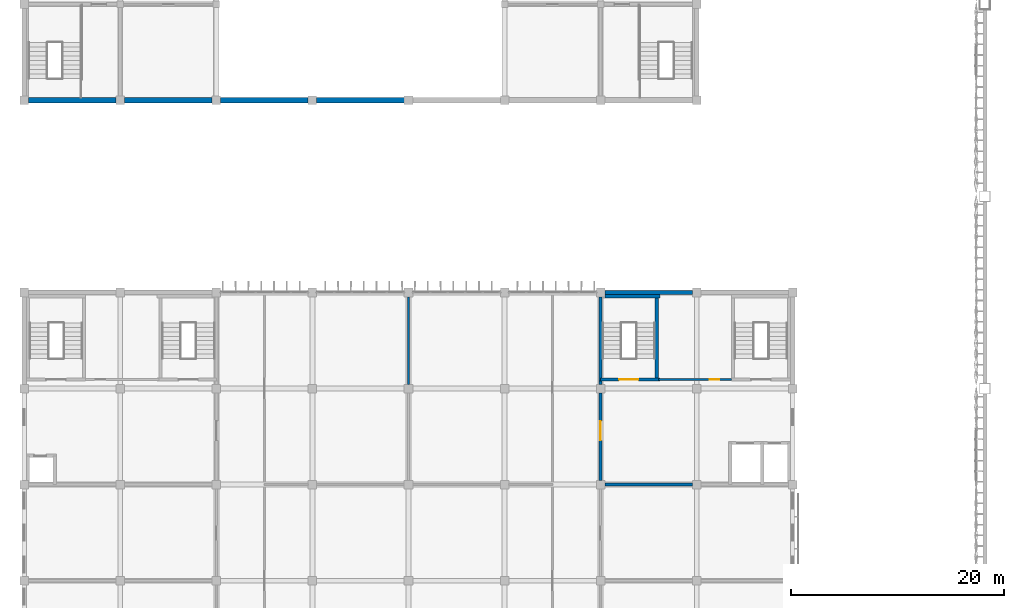
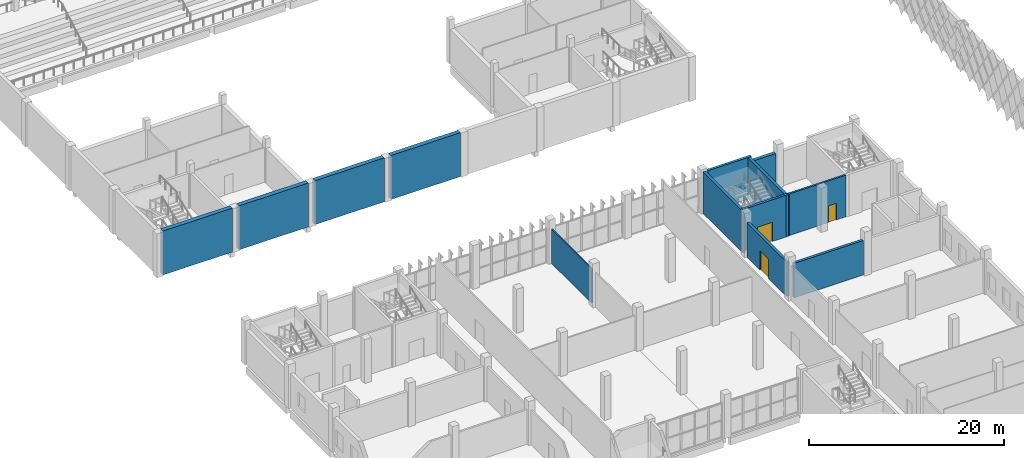
# One storey, part 110 of 185: 14 walls, 3 doors, 3 openings.
"""IFC4 building model written with IfcOpenShell, lengths in metres."""

from ifc_helpers import new_model, si_unit, direction, frame, frame_2d, origin, place, context, subcontext, project, spatial, rectangle, extrude, material, layer, layer_set, type_object, element, fill, save


model = new_model("IFC4")

# Units and contexts
model_context = context("Model", 3, precision=1e-05, world=origin(), true_north=direction((0.0, 1.0)))
body_context = subcontext(model_context, "Body", "Model", "MODEL_VIEW")
ifc_project = project(units=[si_unit("LENGTHUNIT", "METRE"), si_unit("AREAUNIT", "SQUARE_METRE"), si_unit("VOLUMEUNIT", "CUBIC_METRE"), si_unit("PLANEANGLEUNIT", "RADIAN"), si_unit("MASSUNIT", "GRAM", prefix="KILO")], contexts=[model_context])

# Site, building, storey
site_placement = place(None, origin())
site = spatial("IfcSite", under=ifc_project, at=site_placement, CompositionType="ELEMENT")
building_placement = place(site_placement, origin())
building = spatial("IfcBuilding", under=site, at=building_placement, Name="Opaline Strait Convention Centre", CompositionType="ELEMENT")
storey_placement = place(building_placement, frame((0.0, 0.0, 6.0)))
storey = spatial("IfcBuildingStorey", under=building, at=storey_placement, Name="L01", CompositionType="ELEMENT", Elevation=6.0)

# Wall, opening, door
ifc_material_1 = material(Name="Gypsum board on metal studs with mineral wool")
ifc_layer_1 = layer(ifc_material_1, 0.199951171875)
ifc_layer_set_1 = layer_set([ifc_layer_1], Name="Gypsum board on metal studs with mineral wool")
wall_type_1 = type_object("IfcWallType", Name="Fire partition 200", PredefinedType="PARTITIONING", material=ifc_layer_set_1)
wall_1_placement = place(storey_placement, frame((75.25, 90.85009765625, 0.0), z_axis=(0.0, 0.0, 1.0), x_axis=(-1.0, 0.0, 0.0)))
wall_1 = element("IfcWall", 1, at=wall_1_placement, inside=storey, type_object=wall_type_1, Name="NE core STORE-N wall", PredefinedType="PARTITIONING", context=body_context, shape_type="SweptSolid", body=[
    extrude(rectangle(XDim=6.85009765625, YDim=0.199951171875, at=frame_2d((3.425048828125, 0.0))), origin(), (0.0, 0.0, 1.0), 5.219970703125),
])
opening_1_placement = place(wall_1_placement, frame((1.14990234375, 0.0, 0.0)))
opening_1 = element("IfcOpeningElement", 2, at=opening_1_placement, cuts=wall_1, Name="Opening R1-019", PredefinedType="OPENING", context=body_context, shape_type="SweptSolid", body=[
    extrude(rectangle(XDim=0.89990234375, YDim=2.10009765625, at=frame_2d((0.449951171875, 1.050048828125))), frame((0.0, 0.10986328125, 0.0), z_axis=(0.0, -1.0, 0.0), x_axis=(1.0, 0.0, 0.0)), (0.0, 0.0, 1.0), 0.219970703125),
])
ifc_material_2 = material(Name="Galvanised steel door leaf", Category="steel")
door_type_1 = type_object("IfcDoorType", Name="Services store door 900x2100 FD60", OperationType="SINGLE_SWING_LEFT", PredefinedType="DOOR", material=ifc_material_2)
door_1_placement = place(opening_1_placement, origin())
door_1 = element("IfcDoor", 3, at=door_1_placement, inside=storey, type_object=door_type_1, Name="Services store door NE R1-019", ObjectType="RD8", OperationType="SINGLE_SWING_LEFT", OverallHeight=2.10009765625, OverallWidth=0.89990234375, PredefinedType="DOOR", context=body_context, shape_type="SweptSolid", body=[
    extrude(rectangle(XDim=0.89990234375, YDim=2.10009765625, at=frame_2d((0.449951171875, 1.050048828125))), frame((0.0, 0.02490234375, 0.0), z_axis=(0.0, -1.0, 0.0), x_axis=(1.0, 0.0, 0.0)), (0.0, 0.0, 1.0), 0.050048828125),
])
fill(opening_1, door_1)

# Walls
ifc_layer_2 = layer(ifc_material_1, 0.14990234375)
ifc_layer_set_2 = layer_set([ifc_layer_2], Name="Gypsum board on metal studs with mineral wool")
wall_type_2 = type_object("IfcWallType", Name="Partition 150", PredefinedType="PARTITIONING", material=ifc_layer_set_2)
wall_2_placement = place(storey_placement, frame((45.0, 90.39990234375, 0.0), z_axis=(0.0, 0.0, 1.0), x_axis=(0.0, 1.0, 0.0)))
element("IfcWall", 4, at=wall_2_placement, inside=storey, type_object=wall_type_2, Name="L01 partition", PredefinedType="PARTITIONING", context=body_context, shape_type="SweptSolid", body=[
    extrude(rectangle(XDim=8.2001953125, YDim=0.14990234375, at=frame_2d((4.10009765625, 0.0))), origin(), (0.0, 0.0, 1.0), 4.320068359375),
])
ifc_material_3 = material(Name="Concrete C40", Category="concrete")
ifc_layer_3 = layer(ifc_material_3, 0.419921875)
ifc_material_4 = material(Name="Mineral wool insulation")
ifc_layer_4 = layer(ifc_material_4, 0.050048828125)
ifc_material_5 = material(Name="Gypsum board lining")
ifc_layer_5 = layer(ifc_material_5, 0.030029296875)
ifc_layer_set_3 = layer_set([ifc_layer_3, ifc_layer_4, ifc_layer_5], Name="Concrete C40, Mineral wool insulation, Gypsum board lining")
wall_type_3 = type_object("IfcWallType", Name="RC stage wall 500 C40", PredefinedType="SOLIDWALL", material=ifc_layer_set_3)
for number, where, z_axis, x_axis, name in (
    (5, (9.39990234375, 117.0, 0.0), (0.0, 0.0, 1.0), (1.0, 0.0, 0.0), "PW2 south stage wall L01 2/P-3/P"),
    (6, (18.39990234375, 117.0, 0.0), (0.0, 0.0, 1.0), (1.0, 0.0, 0.0), "PW2 south stage wall L01 3/P-4/P"),
    (7, (27.39990234375, 117.0, 0.0), (0.0, 0.0, 1.0), (1.0, 0.0, 0.0), "PW2 south stage wall L01 4/P-5/P"),
    (8, (36.39990234375, 117.0, 0.0), (0.0, 0.0, 1.0), (1.0, 0.0, 0.0), "PW2 south stage wall L01 5/P-6/P"),
):
    element("IfcWall", number, at=place(storey_placement, frame(where, z_axis=z_axis, x_axis=x_axis)), inside=storey, type_object=wall_type_3, Name=name, PredefinedType="SOLIDWALL", context=body_context, shape_type="SweptSolid", body=[
        extrude(rectangle(XDim=8.2001953125, YDim=0.5, at=frame_2d((4.10009765625, 0.0))), origin(), (0.0, 0.0, 1.0), 5.5),
    ])
ifc_layer_6 = layer(ifc_material_3, 0.300048828125)
ifc_layer_set_4 = layer_set([ifc_layer_6], Name="Concrete C40")
wall_type_4 = type_object("IfcWallType", Name="RC wall 300 C40", PredefinedType="SOLIDWALL", material=ifc_layer_set_4)
wall_3_placement = place(storey_placement, frame((68.550048828125, 98.64990234375, 0.0), z_axis=(0.0, 0.0, 1.0), x_axis=(-1.0, 0.0, 0.0)))
element("IfcWall", 9, at=wall_3_placement, inside=storey, type_object=wall_type_4, Name="NE core STB-S wall", PredefinedType="SOLIDWALL", context=body_context, shape_type="SweptSolid", body=[
    extrude(rectangle(XDim=5.150146484375, YDim=0.300048828125, at=frame_2d((2.5751953125, 0.0))), origin(), (0.0, 0.0, 1.0), 5.219970703125),
])

# Wall, opening, door
wall_4_placement = place(storey_placement, frame((68.550048828125, 90.85009765625, 0.0), z_axis=(0.0, 0.0, 1.0), x_axis=(-1.0, 0.0, 0.0)))
wall_4 = element("IfcWall", 10, at=wall_4_placement, inside=storey, type_object=wall_type_4, Name="NE core STB-N wall", PredefinedType="SOLIDWALL", context=body_context, shape_type="SweptSolid", body=[
    extrude(rectangle(XDim=5.550048828125, YDim=0.300048828125, at=frame_2d((2.77490234375, 0.0))), origin(), (0.0, 0.0, 1.0), 5.219970703125),
])
opening_2_placement = place(wall_4_placement, frame((2.02490234375, 0.0, 0.0)))
opening_2 = element("IfcOpeningElement", 11, at=opening_2_placement, cuts=wall_4, Name="Opening R1-018", PredefinedType="OPENING", context=body_context, shape_type="SweptSolid", body=[
    extrude(rectangle(XDim=1.800048828125, YDim=2.39990234375, at=frame_2d((0.89990234375, 1.199951171875))), frame((0.0, 0.159912109375, 0.0), z_axis=(0.0, -1.0, 0.0), x_axis=(1.0, 0.0, 0.0)), (0.0, 0.0, 1.0), 0.320068359375),
])
ifc_material_6 = material(Name="Timber door leaves in steel frame", Category="steel")
door_type_2 = type_object("IfcDoorType", Name="Stair door 1800x2400 double FD60", OperationType="DOUBLE_DOOR_SINGLE_SWING", PredefinedType="DOOR", material=ifc_material_6)
door_2_placement = place(opening_2_placement, origin())
door_2 = element("IfcDoor", 12, at=door_2_placement, inside=storey, type_object=door_type_2, Name="Stair door NEB R1-018", ObjectType="RD7", OperationType="DOUBLE_DOOR_SINGLE_SWING", OverallHeight=2.39990234375, OverallWidth=1.800048828125, PredefinedType="DOOR", context=body_context, shape_type="SweptSolid", body=[
    extrude(rectangle(XDim=1.800048828125, YDim=2.39990234375, at=frame_2d((0.89990234375, 1.199951171875))), frame((0.0, 0.02490234375, 0.0), z_axis=(0.0, -1.0, 0.0), x_axis=(1.0, 0.0, 0.0)), (0.0, 0.0, 1.0), 0.050048828125),
])
fill(opening_2, door_2)

# Walls
wall_5_placement = place(storey_placement, frame((68.25, 98.800048828125, 0.0), z_axis=(0.0, 0.0, 1.0), x_axis=(0.0, -1.0, 0.0)))
element("IfcWall", 13, at=wall_5_placement, inside=storey, type_object=wall_type_4, Name="NE core STB-W wall", PredefinedType="SOLIDWALL", context=body_context, shape_type="SweptSolid", body=[
    extrude(rectangle(XDim=8.10009765625, YDim=0.300048828125, at=frame_2d((4.050048828125, 0.0))), origin(), (0.0, 0.0, 1.0), 5.219970703125),
])
wall_6_placement = place(storey_placement, frame((63.0, 98.60009765625, 0.0), z_axis=(0.0, 0.0, 1.0), x_axis=(0.0, -1.0, 0.0)))
element("IfcWall", 14, at=wall_6_placement, inside=storey, type_object=wall_type_4, Name="NE core STB-E wall", PredefinedType="SOLIDWALL", context=body_context, shape_type="SweptSolid", body=[
    extrude(rectangle(XDim=7.900146484375, YDim=0.300048828125, at=frame_2d((3.9501953125, 0.0))), origin(), (0.0, 0.0, 1.0), 5.219970703125),
])
wall_7_placement = place(storey_placement, frame((71.60009765625, 81.0, 0.0), z_axis=(0.0, 0.0, 1.0), x_axis=(-1.0, 0.0, 0.0)))
element("IfcWall", 15, at=wall_7_placement, inside=storey, type_object=wall_type_4, Name="NE core BND-N wall", PredefinedType="SOLIDWALL", context=body_context, shape_type="SweptSolid", body=[
    extrude(rectangle(XDim=8.2001953125, YDim=0.300048828125, at=frame_2d((4.10009765625, 0.0))), origin(), (0.0, 0.0, 1.0), 4.320068359375),
])

# Wall, opening, door
wall_8_placement = place(storey_placement, frame((63.0, 89.60009765625, 0.0), z_axis=(0.0, 0.0, 1.0), x_axis=(0.0, -1.0, 0.0)))
wall_8 = element("IfcWall", 16, at=wall_8_placement, inside=storey, type_object=wall_type_4, Name="NE core BND-E wall", PredefinedType="SOLIDWALL", context=body_context, shape_type="SweptSolid", body=[
    extrude(rectangle(XDim=8.2001953125, YDim=0.300048828125, at=frame_2d((4.10009765625, 0.0))), origin(), (0.0, 0.0, 1.0), 4.320068359375),
])
opening_3_placement = place(wall_8_placement, frame((2.64990234375, 0.0, 0.0)))
opening_3 = element("IfcOpeningElement", 17, at=opening_3_placement, cuts=wall_8, Name="Opening R1-020", PredefinedType="OPENING", context=body_context, shape_type="SweptSolid", body=[
    extrude(rectangle(XDim=1.800048828125, YDim=2.39990234375, at=frame_2d((0.89990234375, 1.199951171875))), frame((0.0, 0.159912109375, 0.0), z_axis=(0.0, -1.0, 0.0), x_axis=(1.0, 0.0, 0.0)), (0.0, 0.0, 1.0), 0.320068359375),
])
door_type_3 = type_object("IfcDoorType", Name="Door 1800x2400 double FD60", OperationType="DOUBLE_DOOR_SINGLE_SWING", PredefinedType="DOOR", material=ifc_material_6)
door_3_placement = place(opening_3_placement, frame((1.800048828125, 0.0, 0.0), z_axis=(0.0, 0.0, 1.0), x_axis=(-1.0, 0.0, 0.0)))
door_3 = element("IfcDoor", 18, at=door_3_placement, inside=storey, type_object=door_type_3, Name="Core lobby door NE R1-020", ObjectType="RD9", OperationType="DOUBLE_DOOR_SINGLE_SWING", OverallHeight=2.39990234375, OverallWidth=1.800048828125, PredefinedType="DOOR", context=body_context, shape_type="SweptSolid", body=[
    extrude(rectangle(XDim=1.800048828125, YDim=2.39990234375, at=frame_2d((0.89990234375, 1.199951171875))), frame((0.0, 0.02490234375, 0.0), z_axis=(0.0, -1.0, 0.0), x_axis=(1.0, 0.0, 0.0)), (0.0, 0.0, 1.0), 0.050048828125),
])
fill(opening_3, door_3)

# Walls
wall_9_placement = place(storey_placement, frame((63.0, 90.699951171875, 0.0), z_axis=(0.0, 0.0, 1.0), x_axis=(0.0, -1.0, 0.0)))
element("IfcWall", 19, at=wall_9_placement, inside=storey, type_object=wall_type_4, Name="NE core BND-E wall", PredefinedType="SOLIDWALL", context=body_context, shape_type="SweptSolid", body=[
    extrude(rectangle(XDim=0.300048828125, YDim=0.300048828125, at=frame_2d((0.14990234375, 0.0))), origin(), (0.0, 0.0, 1.0), 4.320068359375),
])
ifc_layer_7 = layer(ifc_material_3, 0.320068359375)
ifc_layer_8 = layer(ifc_material_4, 0.050048828125)
ifc_layer_9 = layer(ifc_material_5, 0.030029296875)
ifc_layer_set_5 = layer_set([ifc_layer_7, ifc_layer_8, ifc_layer_9], Name="Concrete C40, Mineral wool insulation, Gypsum board lining")
wall_type_5 = type_object("IfcWallType", Name="RC wall 400 C40", PredefinedType="SOLIDWALL", material=ifc_layer_set_5)
wall_10_placement = place(storey_placement, frame((63.39990234375, 99.0, 0.0), z_axis=(0.0, 0.0, 1.0), x_axis=(1.0, 0.0, 0.0)))
element("IfcWall", 20, at=wall_10_placement, inside=storey, type_object=wall_type_5, Name="L01 N external wall 7", PredefinedType="SOLIDWALL", context=body_context, shape_type="SweptSolid", body=[
    extrude(rectangle(XDim=8.2001953125, YDim=0.39990234375, at=frame_2d((4.10009765625, 0.0))), origin(), (0.0, 0.0, 1.0), 4.320068359375),
])

save(model, "model.ifc")
